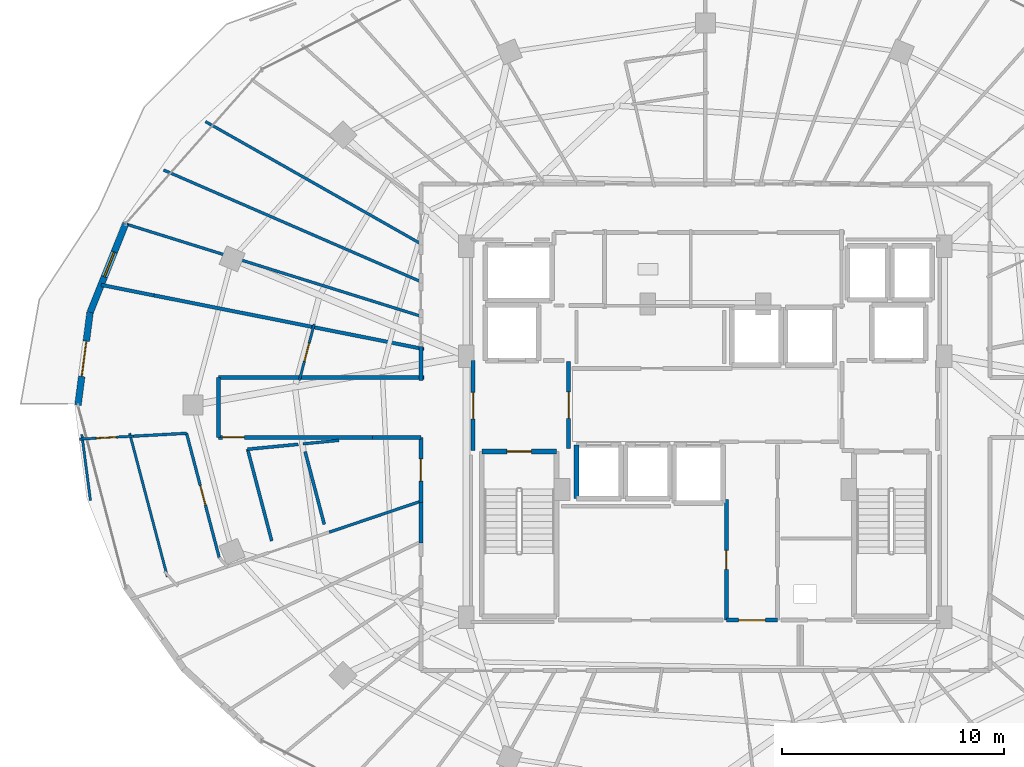
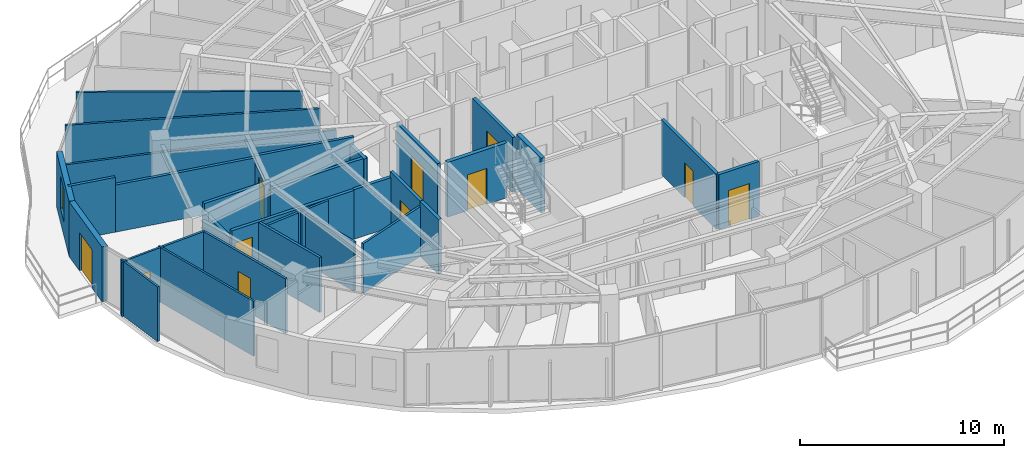
# One storey, part 25 of 34: 33 walls, 11 doors, 1 window, 12 openings.
"""IFC4 building model written with IfcOpenShell, lengths in metres."""

from ifc_helpers import new_model, si_unit, direction, frame, frame_2d, origin, place, context, subcontext, project, spatial, rectangle, extrude, material, layer, layer_set, type_object, element, fill, save


model = new_model("IFC4")

# Units and contexts
model_context = context("Model", 3, precision=1e-05, world=origin(), true_north=direction((0.0, 1.0)))
body_context = subcontext(model_context, "Body", "Model", "MODEL_VIEW")
ifc_project = project(units=[si_unit("LENGTHUNIT", "METRE"), si_unit("AREAUNIT", "SQUARE_METRE"), si_unit("VOLUMEUNIT", "CUBIC_METRE"), si_unit("PLANEANGLEUNIT", "RADIAN"), si_unit("MASSUNIT", "GRAM", prefix="KILO")], contexts=[model_context])

# Site, building, storey
site_placement = place(None, origin())
site = spatial("IfcSite", under=ifc_project, at=site_placement, CompositionType="ELEMENT")
building_placement = place(site_placement, origin())
building = spatial("IfcBuilding", under=site, at=building_placement, Name="Vorneva Point Tower", CompositionType="ELEMENT")
storey_placement = place(building_placement, frame((0.0, 0.0, 210.75)))
storey = spatial("IfcBuildingStorey", under=building, at=storey_placement, Name="L57", CompositionType="ELEMENT", Elevation=210.75)

# Wall, opening, window
ifc_material_1 = material(Name="Precast concrete B50 (C40/50)", Category="concrete")
ifc_layer_1 = layer(ifc_material_1, 0.300048828125)
ifc_layer_set_1 = layer_set([ifc_layer_1], Name="Precast concrete B50 (C40/50)")
wall_type_1 = type_object("IfcWallType", Name="WL-EXT-300", PredefinedType="STANDARD", material=ifc_layer_set_1)
wall_1_placement = place(storey_placement, frame((11.9189453125, 34.17041015625, 0.0), z_axis=(0.0, 0.0, 1.0), x_axis=(-0.372268409848, -0.928125116043, 0.0)))
wall_1 = element("IfcWall", 1, at=wall_1_placement, inside=storey, type_object=wall_type_1, Name="L57 Pale-Metal Facade Spandrel Wall 08.1", PredefinedType="STANDARD", context=body_context, shape_type="SweptSolid", body=[
    extrude(rectangle(XDim=4.315185546875, YDim=0.300048828125, at=frame_2d((2.15771484375, 0.0))), origin(), (0.0, 0.0, 1.0), 3.2900390625),
])
opening_1_placement = place(wall_1_placement, frame((1.38037109375, 0.0, 0.85009765625)))
opening_1 = element("IfcOpeningElement", 2, at=opening_1_placement, cuts=wall_1, Name="Opening W-04", PredefinedType="OPENING", context=body_context, shape_type="SweptSolid", body=[
    extrude(rectangle(XDim=1.199951171875, YDim=1.949951171875, at=frame_2d((0.60009765625, 0.97509765625))), frame((0.0, 0.1650390625, 0.0), z_axis=(0.0, -1.0, 0.0), x_axis=(1.0, 0.0, 0.0)), (0.0, 0.0, 1.0), 0.329833984375),
])
ifc_material_2 = material(Name="Double low-e laminated glass IGU", Category="glass")
window_type = type_object("IfcWindowType", Name="WN-RES-1200", PartitioningType="SINGLE_PANEL", PredefinedType="WINDOW", material=ifc_material_2)
window_placement = place(opening_1_placement, origin())
window = element("IfcWindow", 3, at=window_placement, inside=storey, type_object=window_type, Name="L57 Dwelling Vision Window 01", OverallHeight=1.949951171875, OverallWidth=1.199951171875, PartitioningType="SINGLE_PANEL", PredefinedType="WINDOW", context=body_context, shape_type="SweptSolid", body=[
    extrude(rectangle(XDim=1.199951171875, YDim=1.949951171875, at=frame_2d((0.60009765625, 0.97509765625))), frame((0.0, 0.030029296875, 0.0), z_axis=(0.0, -1.0, 0.0), x_axis=(1.0, 0.0, 0.0)), (0.0, 0.0, 1.0), 0.06005859375),
])
fill(opening_1, window)

# Wall, opening, door
wall_2_placement = place(storey_placement, frame((10.3125, 30.165283203125, 0.0), z_axis=(0.0, 0.0, 1.0), x_axis=(-0.129147853268, -0.991625348605, 0.0)))
wall_2 = element("IfcWall", 4, at=wall_2_placement, inside=storey, type_object=wall_type_1, Name="L57 Pale-Metal Facade Spandrel Wall 08.2", PredefinedType="STANDARD", context=body_context, shape_type="SweptSolid", body=[
    extrude(rectangle(XDim=4.200439453125, YDim=0.300048828125, at=frame_2d((2.10009765625, 0.0))), origin(), (0.0, 0.0, 1.0), 3.2900390625),
])
opening_2_placement = place(wall_2_placement, frame((1.30029296875, 0.0, 0.0)))
opening_2 = element("IfcOpeningElement", 5, at=opening_2_placement, cuts=wall_2, Name="Opening BD-01", PredefinedType="OPENING", context=body_context, shape_type="SweptSolid", body=[
    extrude(rectangle(XDim=1.60009765625, YDim=2.300048828125, at=frame_2d((0.800048828125, 1.14990234375))), frame((0.0, 0.1650390625, 0.0), z_axis=(0.0, -1.0, 0.0), x_axis=(1.0, 0.0, 0.0)), (0.0, 0.0, 1.0), 0.329833984375),
])
ifc_material_3 = material(Name="Pale anodised aluminium", Category="aluminium")
door_type_1 = type_object("IfcDoorType", Name="DR-BAL-1600", OperationType="SLIDING_TO_LEFT", PredefinedType="DOOR", material=ifc_material_3)
door_1_placement = place(opening_2_placement, origin())
door_1 = element("IfcDoor", 6, at=door_1_placement, inside=storey, type_object=door_type_1, Name="L57 Balcony Terrace Access Door 08", OperationType="SLIDING_TO_LEFT", OverallHeight=2.300048828125, OverallWidth=1.60009765625, PredefinedType="DOOR", context=body_context, shape_type="SweptSolid", body=[
    extrude(rectangle(XDim=1.60009765625, YDim=2.300048828125, at=frame_2d((0.800048828125, 1.14990234375))), frame((0.0, 0.02490234375, 0.0), z_axis=(0.0, -1.0, 0.0), x_axis=(1.0, 0.0, 0.0)), (0.0, 0.0, 1.0), 0.050048828125),
])
fill(opening_2, door_1)

ifc_material_4 = material(Name="Fire-rated acoustic gypsum stud partition", Category="gypsum")
ifc_layer_2 = layer(ifc_material_4, 0.110107421875)
ifc_layer_set_2 = layer_set([ifc_layer_2], Name="Fire-rated acoustic gypsum stud partition")
wall_type_2 = type_object("IfcWallType", Name="WL-PART-110", PredefinedType="PARTITIONING", material=ifc_layer_set_2)
wall_3_placement = place(storey_placement, frame((19.7333984375, 27.114501953125, 0.0), z_axis=(0.0, 0.0, 1.0), x_axis=(0.254424362052, 0.967092676011, 0.0)))
wall_3 = element("IfcWall", 7, at=wall_3_placement, inside=storey, type_object=wall_type_2, Name="L57 Interior Partition 123", PredefinedType="PARTITIONING", context=body_context, shape_type="SweptSolid", body=[
    extrude(rectangle(XDim=2.61474609375, YDim=0.110107421875, at=frame_2d((1.307373046875, 0.0))), origin(), (0.0, 0.0, 1.0), 2.48193359375),
])
opening_3_placement = place(wall_3_placement, frame((0.88232421875, 0.0, 0.0)))
opening_3 = element("IfcOpeningElement", 8, at=opening_3_placement, cuts=wall_3, Name="Opening ID-02", PredefinedType="OPENING", context=body_context, shape_type="SweptSolid", body=[
    extrude(rectangle(XDim=0.85009765625, YDim=2.10009765625, at=frame_2d((0.425048828125, 1.050048828125))), frame((0.0, 0.06982421875, 0.0), z_axis=(0.0, -1.0, 0.0), x_axis=(1.0, 0.0, 0.0)), (0.0, 0.0, 1.0), 0.139892578125),
])
ifc_material_5 = material(Name="Engineered oak fire-rated door leaf", Category="wood")
door_type_2 = type_object("IfcDoorType", Name="DR-BATH-850", OperationType="NOTDEFINED", PredefinedType="DOOR", material=ifc_material_5)
door_2_placement = place(opening_3_placement, origin())
door_2 = element("IfcDoor", 9, at=door_2_placement, inside=storey, type_object=door_type_2, Name="L57 Door Living and Dining Room L57-03 / Bathroom L57-03", OperationType="SINGLE_SWING_LEFT", OverallHeight=2.10009765625, OverallWidth=0.85009765625, PredefinedType="DOOR", context=body_context, shape_type="SweptSolid", body=[
    extrude(rectangle(XDim=0.85009765625, YDim=2.10009765625, at=frame_2d((0.425048828125, 1.050048828125))), frame((0.0, 0.02490234375, 0.0), z_axis=(0.0, -1.0, 0.0), x_axis=(1.0, 0.0, 0.0)), (0.0, 0.0, 1.0), 0.050048828125),
])
fill(opening_3, door_2)

# Wall
wall_4_placement = place(storey_placement, frame((9.94384765625, 24.6728515625, 0.0), z_axis=(0.0, 0.0, 1.0), x_axis=(0.129053207858, -0.991637670493, 0.0)))
element("IfcWall", 10, at=wall_4_placement, inside=storey, type_object=wall_type_2, Name="L57 Interior Partition 124", PredefinedType="PARTITIONING", context=body_context, shape_type="SweptSolid", body=[
    extrude(rectangle(XDim=2.992919921875, YDim=0.110107421875, at=frame_2d((1.49658203125, 0.0))), origin(), (0.0, 0.0, 1.0), 3.2900390625),
])

# Wall, opening, door
wall_5_placement = place(storey_placement, frame((9.830078125, 24.46728515625, 0.0), z_axis=(0.0, 0.0, 1.0), x_axis=(0.998510664793, 0.054556872108, 0.0)))
wall_5 = element("IfcWall", 11, at=wall_5_placement, inside=storey, type_object=wall_type_2, Name="L57 Interior Partition 125", PredefinedType="PARTITIONING", context=body_context, shape_type="SweptSolid", body=[
    extrude(rectangle(XDim=2.443359375, YDim=0.110107421875, at=frame_2d((1.2216796875, 0.0))), origin(), (0.0, 0.0, 1.0), 3.2900390625),
])
opening_4_placement = place(wall_5_placement, frame((0.771484375, 0.0, 0.0)))
opening_4 = element("IfcOpeningElement", 12, at=opening_4_placement, cuts=wall_5, Name="Opening ID-01", PredefinedType="OPENING", context=body_context, shape_type="SweptSolid", body=[
    extrude(rectangle(XDim=0.89990234375, YDim=2.10009765625, at=frame_2d((0.449951171875, 1.050048828125))), frame((0.0, 0.06982421875, 0.0), z_axis=(0.0, -1.0, 0.0), x_axis=(1.0, 0.0, 0.0)), (0.0, 0.0, 1.0), 0.139892578125),
])
door_type_3 = type_object("IfcDoorType", Name="DR-ROOM-900", OperationType="NOTDEFINED", PredefinedType="DOOR", material=ifc_material_5)
door_3_placement = place(opening_4_placement, origin())
door_3 = element("IfcDoor", 13, at=door_3_placement, inside=storey, type_object=door_type_3, Name="L57 Door Living and Dining Room L57-03 / Kitchen L57-03", OperationType="SINGLE_SWING_LEFT", OverallHeight=2.10009765625, OverallWidth=0.89990234375, PredefinedType="DOOR", context=body_context, shape_type="SweptSolid", body=[
    extrude(rectangle(XDim=0.89990234375, YDim=2.10009765625, at=frame_2d((0.449951171875, 1.050048828125))), frame((0.0, 0.02490234375, 0.0), z_axis=(0.0, -1.0, 0.0), x_axis=(1.0, 0.0, 0.0)), (0.0, 0.0, 1.0), 0.050048828125),
])
fill(opening_4, door_3)

# Walls
wall_6_placement = place(storey_placement, frame((13.79248046875, 18.2705078125, 0.0), z_axis=(0.0, 0.0, 1.0), x_axis=(-0.254286331735, 0.967128978727, 0.0)))
element("IfcWall", 14, at=wall_6_placement, inside=storey, type_object=wall_type_2, Name="L57 Interior Partition 132", PredefinedType="PARTITIONING", context=body_context, shape_type="SweptSolid", body=[
    extrude(rectangle(XDim=6.677490234375, YDim=0.110107421875, at=frame_2d((3.3388671875, 0.0))), origin(), (0.0, 0.0, 1.0), 3.2900390625),
])
ifc_layer_3 = layer(ifc_material_4, 0.125)
ifc_layer_set_3 = layer_set([ifc_layer_3], Name="Fire-rated acoustic gypsum stud partition")
wall_type_3 = type_object("IfcWallType", Name="WL-PART-125", PredefinedType="PARTITIONING", material=ifc_layer_set_3)
wall_7_placement = place(storey_placement, frame((15.5048828125, 38.758056640625, 0.0), z_axis=(0.0, 0.0, 1.0), x_axis=(0.86982387552, -0.49336236741, 0.0)))
element("IfcWall", 15, at=wall_7_placement, inside=storey, type_object=wall_type_3, Name="L57 Interior Partition 115", PredefinedType="PARTITIONING", context=body_context, shape_type="SweptSolid", body=[
    extrude(rectangle(XDim=11.14599609375, YDim=0.125, at=frame_2d((5.572998046875, 0.0))), origin(), (0.0, 0.0, 1.0), 2.823974609375),
])
wall_8_placement = place(storey_placement, frame((13.6220703125, 36.577880859375, 0.0), z_axis=(0.0, 0.0, 1.0), x_axis=(0.917357672996, -0.398063939331, 0.0)))
element("IfcWall", 16, at=wall_8_placement, inside=storey, type_object=wall_type_3, Name="L57 Interior Partition 116", PredefinedType="PARTITIONING", context=body_context, shape_type="SweptSolid", body=[
    extrude(rectangle(XDim=12.620849609375, YDim=0.125, at=frame_2d((6.310546875, 0.0))), origin(), (0.0, 0.0, 1.0), 2.823974609375),
])
wall_9_placement = place(storey_placement, frame((11.910888671875, 34.152099609375, 0.0), z_axis=(0.0, 0.0, 1.0), x_axis=(0.954494953812, -0.298227066422, 0.0)))
element("IfcWall", 17, at=wall_9_placement, inside=storey, type_object=wall_type_3, Name="L57 Interior Partition 117", PredefinedType="PARTITIONING", context=body_context, shape_type="SweptSolid", body=[
    extrude(rectangle(XDim=13.922607421875, YDim=0.125, at=frame_2d((6.96142578125, 0.0))), origin(), (0.0, 0.0, 1.0), 2.48193359375),
])
wall_10_placement = place(storey_placement, frame((19.89892578125, 24.2548828125, 0.0), z_axis=(0.0, 0.0, 1.0), x_axis=(0.995395189956, 0.095856224692, 0.0)))
element("IfcWall", 18, at=wall_10_placement, inside=storey, type_object=wall_type_3, Name="L57 Interior Partition 121", PredefinedType="PARTITIONING", context=body_context, shape_type="SweptSolid", body=[
    extrude(rectangle(XDim=1.617431640625, YDim=0.125, at=frame_2d((0.80859375, 0.0))), origin(), (0.0, 0.0, 1.0), 2.93603515625),
])
wall_11_placement = place(storey_placement, frame((21.0791015625, 20.281005859375, 0.0), z_axis=(0.0, 0.0, 1.0), x_axis=(0.947333376301, 0.320249081413, 0.0)))
element("IfcWall", 19, at=wall_11_placement, inside=storey, type_object=wall_type_3, Name="L57 Interior Partition 122", PredefinedType="PARTITIONING", context=body_context, shape_type="SweptSolid", body=[
    extrude(rectangle(XDim=4.349853515625, YDim=0.125, at=frame_2d((2.1748046875, 0.0))), origin(), (0.0, 0.0, 1.0), 2.97900390625),
])
wall_12_placement = place(storey_placement, frame((12.269775390625, 24.6005859375, 0.0), z_axis=(0.0, 0.0, 1.0), x_axis=(0.998530633022, 0.054190173613, 0.0)))
element("IfcWall", 20, at=wall_12_placement, inside=storey, type_object=wall_type_3, Name="L57 Interior Partition 126", PredefinedType="PARTITIONING", context=body_context, shape_type="SweptSolid", body=[
    extrude(rectangle(XDim=2.3876953125, YDim=0.125, at=frame_2d((1.19384765625, 0.0))), origin(), (0.0, 0.0, 1.0), 3.2900390625),
])

# Wall, opening, door
wall_13_placement = place(storey_placement, frame((14.654052734375, 24.72998046875, 0.0), z_axis=(0.0, 0.0, 1.0), x_axis=(0.254457911505, -0.967083849143, 0.0)))
wall_13 = element("IfcWall", 21, at=wall_13_placement, inside=storey, type_object=wall_type_3, Name="L57 Interior Partition 127", PredefinedType="PARTITIONING", context=body_context, shape_type="SweptSolid", body=[
    extrude(rectangle(XDim=5.77294921875, YDim=0.125, at=frame_2d((2.886474609375, 0.0))), origin(), (0.0, 0.0, 1.0), 3.2900390625),
])
opening_5_placement = place(wall_13_placement, frame((2.4365234375, 0.0, 0.0)))
opening_5 = element("IfcOpeningElement", 22, at=opening_5_placement, cuts=wall_13, Name="Opening ID-01", PredefinedType="OPENING", context=body_context, shape_type="SweptSolid", body=[
    extrude(rectangle(XDim=0.89990234375, YDim=2.10009765625, at=frame_2d((0.449951171875, 1.050048828125))), frame((0.0, 0.077392578125, 0.0), z_axis=(0.0, -1.0, 0.0), x_axis=(1.0, 0.0, 0.0)), (0.0, 0.0, 1.0), 0.15478515625),
])
door_4_placement = place(opening_5_placement, origin())
door_4 = element("IfcDoor", 23, at=door_4_placement, inside=storey, type_object=door_type_3, Name="L57 Door Living and Dining Room L57-03 / Study Room L57-03", OperationType="SINGLE_SWING_RIGHT", OverallHeight=2.10009765625, OverallWidth=0.89990234375, PredefinedType="DOOR", context=body_context, shape_type="SweptSolid", body=[
    extrude(rectangle(XDim=0.89990234375, YDim=2.10009765625, at=frame_2d((0.449951171875, 1.050048828125))), frame((0.0, 0.02490234375, 0.0), z_axis=(0.0, -1.0, 0.0), x_axis=(1.0, 0.0, 0.0)), (0.0, 0.0, 1.0), 0.050048828125),
])
fill(opening_5, door_4)

# Walls
ifc_layer_4 = layer(ifc_material_4, 0.139892578125)
ifc_layer_set_4 = layer_set([ifc_layer_4], Name="Fire-rated acoustic gypsum stud partition")
wall_type_4 = type_object("IfcWallType", Name="WL-PART-140", PredefinedType="PARTITIONING", material=ifc_layer_set_4)
wall_14_placement = place(storey_placement, frame((18.488037109375, 19.887939453125, 0.0), z_axis=(0.0, 0.0, 1.0), x_axis=(-0.254527099131, 0.967065641933, 0.0)))
element("IfcWall", 24, at=wall_14_placement, inside=storey, type_object=wall_type_4, Name="L57 Interior Closure Partition 183", PredefinedType="PARTITIONING", context=body_context, shape_type="SweptSolid", body=[
    extrude(rectangle(XDim=4.2666015625, YDim=0.139892578125, at=frame_2d((2.13330078125, 0.0))), origin(), (0.0, 0.0, 1.0), 3.2900390625),
])
wall_15_placement = place(storey_placement, frame((17.402099609375, 24.013916015625, 0.0), z_axis=(0.0, 0.0, 1.0), x_axis=(0.99536946046, 0.096123031498, 0.0)))
element("IfcWall", 25, at=wall_15_placement, inside=storey, type_object=wall_type_4, Name="L57 Interior Closure Partition 184", PredefinedType="PARTITIONING", context=body_context, shape_type="SweptSolid", body=[
    extrude(rectangle(XDim=2.288330078125, YDim=0.139892578125, at=frame_2d((1.14404296875, 0.0))), origin(), (0.0, 0.0, 1.0), 2.93603515625),
])
wall_16_placement = place(storey_placement, frame((19.989990234375, 23.907958984375, 0.0), z_axis=(0.0, 0.0, 1.0), x_axis=(0.25452874074, -0.967065209868, 0.0)))
element("IfcWall", 26, at=wall_16_placement, inside=storey, type_object=wall_type_4, Name="L57 Interior Closure Partition 185", PredefinedType="PARTITIONING", context=body_context, shape_type="SweptSolid", body=[
    extrude(rectangle(XDim=3.390625, YDim=0.139892578125, at=frame_2d((1.6953125, 0.0))), origin(), (0.0, 0.0, 1.0), 2.93603515625),
])
ifc_layer_5 = layer(ifc_material_4, 0.159912109375)
ifc_layer_set_5 = layer_set([ifc_layer_5], Name="Fire-rated acoustic gypsum stud partition")
wall_type_5 = type_object("IfcWallType", Name="WL-PART-160", PredefinedType="PARTITIONING", material=ifc_layer_set_5)
wall_17_placement = place(storey_placement, frame((10.81298828125, 31.407958984375, 0.0), z_axis=(0.0, 0.0, 1.0), x_axis=(0.980808893275, -0.194971574527, 0.0)))
element("IfcWall", 27, at=wall_17_placement, inside=storey, type_object=wall_type_5, Name="L57 Interior Partition 118", PredefinedType="PARTITIONING", context=body_context, shape_type="SweptSolid", body=[
    extrude(rectangle(XDim=2.42041015625, YDim=0.159912109375, at=frame_2d((1.210205078125, 0.0))), origin(), (0.0, 0.0, 1.0), 3.2900390625),
])
wall_18_placement = place(storey_placement, frame((13.18701171875, 30.93603515625, 0.0), z_axis=(0.0, 0.0, 1.0), x_axis=(0.980790143568, -0.195065871645, 0.0)))
element("IfcWall", 28, at=wall_18_placement, inside=storey, type_object=wall_type_5, Name="L57 Interior Partition 119", PredefinedType="PARTITIONING", context=body_context, shape_type="SweptSolid", body=[
    extrude(rectangle(XDim=7.376708984375, YDim=0.159912109375, at=frame_2d((3.6884765625, 0.0))), origin(), (0.0, 0.0, 1.0), 2.823974609375),
])
wall_19_placement = place(storey_placement, frame((20.28466796875, 29.52392578125, 0.0), z_axis=(0.0, 0.0, 1.0), x_axis=(0.980782472544, -0.195104437547, 0.0)))
element("IfcWall", 29, at=wall_19_placement, inside=storey, type_object=wall_type_5, Name="L57 Interior Partition 120", PredefinedType="PARTITIONING", context=body_context, shape_type="SweptSolid", body=[
    extrude(rectangle(XDim=5.15185546875, YDim=0.159912109375, at=frame_2d((2.575927734375, 0.0))), origin(), (0.0, 0.0, 1.0), 2.93603515625),
])

# Wall, opening, door
ifc_material_6 = material(Name="Autoclaved aerated concrete blockwork", Category="masonry")
ifc_layer_6 = layer(ifc_material_6, 0.179931640625)
ifc_layer_set_6 = layer_set([ifc_layer_6], Name="Autoclaved aerated concrete blockwork")
wall_type_6 = type_object("IfcWallType", Name="WL-PART-180", PredefinedType="PARTITIONING", material=ifc_layer_set_6)
wall_20_placement = place(storey_placement, frame((31.85009765625, 24.044921875, 0.0), z_axis=(0.0, 0.0, 1.0), x_axis=(0.0, 1.0, 0.0)))
wall_20 = element("IfcWall", 30, at=wall_20_placement, inside=storey, type_object=wall_type_6, Name="L57 Interior Partition 001", PredefinedType="PARTITIONING", context=body_context, shape_type="SweptSolid", body=[
    extrude(rectangle(XDim=3.91015625, YDim=0.179931640625, at=frame_2d((1.955078125, 0.0))), origin(), (0.0, 0.0, 1.0), 3.2900390625),
])
opening_6_placement = place(wall_20_placement, frame((1.35498046875, 0.0, 0.0)))
opening_6 = element("IfcOpeningElement", 31, at=opening_6_placement, cuts=wall_20, Name="Opening FD-02", PredefinedType="OPENING", context=body_context, shape_type="SweptSolid", body=[
    extrude(rectangle(XDim=1.199951171875, YDim=2.14990234375, at=frame_2d((0.60009765625, 1.074951171875))), frame((0.0, 0.10498046875, 0.0), z_axis=(0.0, -1.0, 0.0), x_axis=(1.0, 0.0, 0.0)), (0.0, 0.0, 1.0), 0.209716796875),
])
ifc_material_7 = material(Name="Fire-rated powder-coated steel", Category="steel")
door_type_4 = type_object("IfcDoorType", Name="DR-FFL-1200", OperationType="NOTDEFINED", PredefinedType="DOOR", material=ifc_material_7)
door_5_placement = place(opening_6_placement, origin())
door_5 = element("IfcDoor", 32, at=door_5_placement, inside=storey, type_object=door_type_4, Name="L57 Door West Firefighting Lobby / Central Lift Lobby", OperationType="SINGLE_SWING_LEFT", OverallHeight=2.14990234375, OverallWidth=1.199951171875, PredefinedType="DOOR", context=body_context, shape_type="SweptSolid", body=[
    extrude(rectangle(XDim=1.199951171875, YDim=2.14990234375, at=frame_2d((0.60009765625, 1.074951171875))), frame((0.0, 0.02490234375, 0.0), z_axis=(0.0, -1.0, 0.0), x_axis=(1.0, 0.0, 0.0)), (0.0, 0.0, 1.0), 0.050048828125),
])
fill(opening_6, door_5)

wall_21_placement = place(storey_placement, frame((27.550048828125, 28.0, 0.0), z_axis=(0.0, 0.0, 1.0), x_axis=(0.0, -1.0, 0.0)))
wall_21 = element("IfcWall", 33, at=wall_21_placement, inside=storey, type_object=wall_type_6, Name="L57 Interior Partition 002", PredefinedType="PARTITIONING", context=body_context, shape_type="SweptSolid", body=[
    extrude(rectangle(XDim=4.050048828125, YDim=0.179931640625, at=frame_2d((2.02490234375, 0.0))), origin(), (0.0, 0.0, 1.0), 3.2900390625),
])
opening_7_placement = place(wall_21_placement, frame((1.425048828125, 0.0, 0.0)))
opening_7 = element("IfcOpeningElement", 34, at=opening_7_placement, cuts=wall_21, Name="Opening FD-02", PredefinedType="OPENING", context=body_context, shape_type="SweptSolid", body=[
    extrude(rectangle(XDim=1.199951171875, YDim=2.14990234375, at=frame_2d((0.60009765625, 1.074951171875))), frame((0.0, 0.10498046875, 0.0), z_axis=(0.0, -1.0, 0.0), x_axis=(1.0, 0.0, 0.0)), (0.0, 0.0, 1.0), 0.209716796875),
])
door_6_placement = place(opening_7_placement, origin())
door_6 = element("IfcDoor", 35, at=door_6_placement, inside=storey, type_object=door_type_4, Name="L57 Door West Firefighting Lobby / L57 Circulation Corridor", OperationType="SINGLE_SWING_RIGHT", OverallHeight=2.14990234375, OverallWidth=1.199951171875, PredefinedType="DOOR", context=body_context, shape_type="SweptSolid", body=[
    extrude(rectangle(XDim=1.199951171875, YDim=2.14990234375, at=frame_2d((0.60009765625, 1.074951171875))), frame((0.0, 0.02490234375, 0.0), z_axis=(0.0, -1.0, 0.0), x_axis=(1.0, 0.0, 0.0)), (0.0, 0.0, 1.0), 0.050048828125),
])
fill(opening_7, door_6)

wall_22_placement = place(storey_placement, frame((38.949951171875, 21.7548828125, 0.0), z_axis=(0.0, 0.0, 1.0), x_axis=(0.0, -1.0, 0.0)))
wall_22 = element("IfcWall", 36, at=wall_22_placement, inside=storey, type_object=wall_type_6, Name="L57 Interior Partition 015", PredefinedType="PARTITIONING", context=body_context, shape_type="SweptSolid", body=[
    extrude(rectangle(XDim=5.434814453125, YDim=0.179931640625, at=frame_2d((2.71728515625, 0.0))), origin(), (0.0, 0.0, 1.0), 3.2900390625),
])
opening_8_placement = place(wall_22_placement, frame((2.29248046875, 0.0, 0.0)))
opening_8 = element("IfcOpeningElement", 37, at=opening_8_placement, cuts=wall_22, Name="Opening ID-02", PredefinedType="OPENING", context=body_context, shape_type="SweptSolid", body=[
    extrude(rectangle(XDim=0.85009765625, YDim=2.10009765625, at=frame_2d((0.425048828125, 1.050048828125))), frame((0.0, 0.10498046875, 0.0), z_axis=(0.0, -1.0, 0.0), x_axis=(1.0, 0.0, 0.0)), (0.0, 0.0, 1.0), 0.209716796875),
])
door_7_placement = place(opening_8_placement, origin())
door_7 = element("IfcDoor", 38, at=door_7_placement, inside=storey, type_object=door_type_2, Name="L57 Door Core Service Lobby / Floor Storage Room", OperationType="SINGLE_SWING_LEFT", OverallHeight=2.10009765625, OverallWidth=0.85009765625, PredefinedType="DOOR", context=body_context, shape_type="SweptSolid", body=[
    extrude(rectangle(XDim=0.85009765625, YDim=2.10009765625, at=frame_2d((0.425048828125, 1.050048828125))), frame((0.0, 0.02490234375, 0.0), z_axis=(0.0, -1.0, 0.0), x_axis=(1.0, 0.0, 0.0)), (0.0, 0.0, 1.0), 0.050048828125),
])
fill(opening_8, door_7)

wall_23_placement = place(storey_placement, frame((38.949951171875, 16.320068359375, 0.0), z_axis=(0.0, 0.0, 1.0), x_axis=(1.0, 0.0, 0.0)))
wall_23 = element("IfcWall", 39, at=wall_23_placement, inside=storey, type_object=wall_type_6, Name="L57 Interior Partition 016", PredefinedType="PARTITIONING", context=body_context, shape_type="SweptSolid", body=[
    extrude(rectangle(XDim=2.300048828125, YDim=0.179931640625, at=frame_2d((1.14990234375, 0.0))), origin(), (0.0, 0.0, 1.0), 3.2900390625),
])
opening_9_placement = place(wall_23_placement, frame((0.550048828125, 0.0, 0.0)))
opening_9 = element("IfcOpeningElement", 40, at=opening_9_placement, cuts=wall_23, Name="Opening FD-02", PredefinedType="OPENING", context=body_context, shape_type="SweptSolid", body=[
    extrude(rectangle(XDim=1.199951171875, YDim=2.14990234375, at=frame_2d((0.60009765625, 1.074951171875))), frame((0.0, 0.10498046875, 0.0), z_axis=(0.0, -1.0, 0.0), x_axis=(1.0, 0.0, 0.0)), (0.0, 0.0, 1.0), 0.209716796875),
])
door_8_placement = place(opening_9_placement, origin())
door_8 = element("IfcDoor", 41, at=door_8_placement, inside=storey, type_object=door_type_4, Name="L57 Door Core Service Lobby / L57 Circulation Corridor", OperationType="SINGLE_SWING_RIGHT", OverallHeight=2.14990234375, OverallWidth=1.199951171875, PredefinedType="DOOR", context=body_context, shape_type="SweptSolid", body=[
    extrude(rectangle(XDim=1.199951171875, YDim=2.14990234375, at=frame_2d((0.60009765625, 1.074951171875))), frame((0.0, 0.02490234375, 0.0), z_axis=(0.0, -1.0, 0.0), x_axis=(1.0, 0.0, 0.0)), (0.0, 0.0, 1.0), 0.050048828125),
])
fill(opening_9, door_8)

# Wall
wall_24_placement = place(storey_placement, frame((16.10009765625, 27.25, 0.0), z_axis=(0.0, 0.0, 1.0), x_axis=(0.0, -1.0, 0.0)))
element("IfcWall", 42, at=wall_24_placement, inside=storey, type_object=wall_type_6, Name="L57 Interior Partition 047", PredefinedType="PARTITIONING", context=body_context, shape_type="SweptSolid", body=[
    extrude(rectangle(XDim=2.699951171875, YDim=0.179931640625, at=frame_2d((1.35009765625, 0.0))), origin(), (0.0, 0.0, 1.0), 2.48193359375),
])

# Wall, opening, door
wall_25_placement = place(storey_placement, frame((16.10009765625, 24.550048828125, 0.0), z_axis=(0.0, 0.0, 1.0), x_axis=(1.0, 0.0, 0.0)))
wall_25 = element("IfcWall", 43, at=wall_25_placement, inside=storey, type_object=wall_type_6, Name="L57 Interior Partition 048", PredefinedType="PARTITIONING", context=body_context, shape_type="SweptSolid", body=[
    extrude(rectangle(XDim=6.9228515625, YDim=0.179931640625, at=frame_2d((3.46142578125, 0.0))), origin(), (0.0, 0.0, 1.0), 2.93603515625),
])
opening_10_placement = place(wall_25_placement, frame((0.16162109375, 0.0, 0.0)))
opening_10 = element("IfcOpeningElement", 44, at=opening_10_placement, cuts=wall_25, Name="Opening UD-01", PredefinedType="OPENING", context=body_context, shape_type="SweptSolid", body=[
    extrude(rectangle(XDim=1.0, YDim=2.14990234375, at=frame_2d((0.5, 1.074951171875))), frame((0.0, 0.10498046875, 0.0), z_axis=(0.0, -1.0, 0.0), x_axis=(1.0, 0.0, 0.0)), (0.0, 0.0, 1.0), 0.209716796875),
])
door_type_5 = type_object("IfcDoorType", Name="DR-UNIT-1000", OperationType="NOTDEFINED", PredefinedType="DOOR", material=ifc_material_5)
door_9_placement = place(opening_10_placement, origin())
door_9 = element("IfcDoor", 45, at=door_9_placement, inside=storey, type_object=door_type_5, Name="L57 Door L57 Circulation Corridor / Living and Dining Room L57-03", OperationType="SINGLE_SWING_LEFT", OverallHeight=2.14990234375, OverallWidth=1.0, PredefinedType="DOOR", context=body_context, shape_type="SweptSolid", body=[
    extrude(rectangle(XDim=1.0, YDim=2.14990234375, at=frame_2d((0.5, 1.074951171875))), frame((0.0, 0.02490234375, 0.0), z_axis=(0.0, -1.0, 0.0), x_axis=(1.0, 0.0, 0.0)), (0.0, 0.0, 1.0), 0.050048828125),
])
fill(opening_10, door_9)

# Walls
wall_26_placement = place(storey_placement, frame((19.8310546875, 27.25, 0.0), z_axis=(0.0, 0.0, 1.0), x_axis=(-1.0, 0.0, 0.0)))
element("IfcWall", 46, at=wall_26_placement, inside=storey, type_object=wall_type_6, Name="L57 Interior Partition 049", PredefinedType="PARTITIONING", context=body_context, shape_type="SweptSolid", body=[
    extrude(rectangle(XDim=3.73095703125, YDim=0.179931640625, at=frame_2d((1.865478515625, 0.0))), origin(), (0.0, 0.0, 1.0), 2.93603515625),
])
wall_27_placement = place(storey_placement, frame((23.02294921875, 24.550048828125, 0.0), z_axis=(0.0, 0.0, 1.0), x_axis=(1.0, 0.0, 0.0)))
element("IfcWall", 47, at=wall_27_placement, inside=storey, type_object=wall_type_6, Name="L57 Interior Partition 050", PredefinedType="PARTITIONING", context=body_context, shape_type="SweptSolid", body=[
    extrude(rectangle(XDim=2.177001953125, YDim=0.179931640625, at=frame_2d((1.08837890625, 0.0))), origin(), (0.0, 0.0, 1.0), 2.97900390625),
])

# Wall, opening, door
wall_28_placement = place(storey_placement, frame((25.199951171875, 24.550048828125, 0.0), z_axis=(0.0, 0.0, 1.0), x_axis=(0.0, -1.0, 0.0)))
wall_28 = element("IfcWall", 48, at=wall_28_placement, inside=storey, type_object=wall_type_6, Name="L57 Interior Partition 051", PredefinedType="PARTITIONING", context=body_context, shape_type="SweptSolid", body=[
    extrude(rectangle(XDim=2.93896484375, YDim=0.179931640625, at=frame_2d((1.469482421875, 0.0))), origin(), (0.0, 0.0, 1.0), 3.2900390625),
])
opening_11_placement = place(wall_28_placement, frame((0.969482421875, 0.0, 0.0)))
opening_11 = element("IfcOpeningElement", 49, at=opening_11_placement, cuts=wall_28, Name="Opening UD-01", PredefinedType="OPENING", context=body_context, shape_type="SweptSolid", body=[
    extrude(rectangle(XDim=1.0, YDim=2.14990234375, at=frame_2d((0.5, 1.074951171875))), frame((0.0, 0.10498046875, 0.0), z_axis=(0.0, -1.0, 0.0), x_axis=(1.0, 0.0, 0.0)), (0.0, 0.0, 1.0), 0.209716796875),
])
door_10_placement = place(opening_11_placement, origin())
door_10 = element("IfcDoor", 50, at=door_10_placement, inside=storey, type_object=door_type_5, Name="L57 Door L57 Circulation Corridor / Family Dining Room L57-03", OperationType="SINGLE_SWING_RIGHT", OverallHeight=2.14990234375, OverallWidth=1.0, PredefinedType="DOOR", context=body_context, shape_type="SweptSolid", body=[
    extrude(rectangle(XDim=1.0, YDim=2.14990234375, at=frame_2d((0.5, 1.074951171875))), frame((0.0, 0.02490234375, 0.0), z_axis=(0.0, -1.0, 0.0), x_axis=(1.0, 0.0, 0.0)), (0.0, 0.0, 1.0), 0.050048828125),
])
fill(opening_11, door_10)

# Walls
wall_29_placement = place(storey_placement, frame((25.199951171875, 28.6259765625, 0.0), z_axis=(0.0, 0.0, 1.0), x_axis=(0.0, -1.0, 0.0)))
element("IfcWall", 51, at=wall_29_placement, inside=storey, type_object=wall_type_6, Name="L57 Interior Partition 052", PredefinedType="PARTITIONING", context=body_context, shape_type="SweptSolid", body=[
    extrude(rectangle(XDim=1.515869140625, YDim=0.179931640625, at=frame_2d((0.7578125, 0.0))), origin(), (0.0, 0.0, 1.0), 2.48193359375),
])
wall_30_placement = place(storey_placement, frame((25.340087890625, 27.25, 0.0), z_axis=(0.0, 0.0, 1.0), x_axis=(-1.0, 0.0, 0.0)))
element("IfcWall", 52, at=wall_30_placement, inside=storey, type_object=wall_type_6, Name="L57 Interior Partition 053", PredefinedType="PARTITIONING", context=body_context, shape_type="SweptSolid", body=[
    extrude(rectangle(XDim=5.649169921875, YDim=0.179931640625, at=frame_2d((2.82470703125, 0.0))), origin(), (0.0, 0.0, 1.0), 2.48193359375),
])
wall_31_placement = place(storey_placement, frame((25.199951171875, 21.611083984375, 0.0), z_axis=(0.0, 0.0, 1.0), x_axis=(0.0, -1.0, 0.0)))
element("IfcWall", 53, at=wall_31_placement, inside=storey, type_object=wall_type_6, Name="L57 Interior Partition 054", PredefinedType="PARTITIONING", context=body_context, shape_type="SweptSolid", body=[
    extrude(rectangle(XDim=1.823974609375, YDim=0.179931640625, at=frame_2d((0.912109375, 0.0))), origin(), (0.0, 0.0, 1.0), 3.2900390625),
])

# Wall, opening, door
ifc_material_8 = material(Name="Concrete B50 (C40/50)", Category="concrete")
ifc_layer_7 = layer(ifc_material_8, 0.219970703125)
ifc_layer_set_7 = layer_set([ifc_layer_7], Name="Concrete B50 (C40/50)")
wall_type_7 = type_object("IfcWallType", Name="WL-SHFT-220", PredefinedType="SOLIDWALL", material=ifc_layer_set_7)
wall_32_placement = place(storey_placement, frame((27.93994140625, 23.909912109375, 0.0), z_axis=(0.0, 0.0, 1.0), x_axis=(1.0, 0.0, 0.0)))
wall_32 = element("IfcWall", 54, at=wall_32_placement, inside=storey, type_object=wall_type_7, Name="L57 Exit Stair ST1 Shaft Wall near", PredefinedType="SOLIDWALL", context=body_context, shape_type="SweptSolid", body=[
    extrude(rectangle(XDim=3.3701171875, YDim=0.219970703125, at=frame_2d((1.68505859375, 0.0))), origin(), (0.0, 0.0, 1.0), 3.2900390625),
])
opening_12_placement = place(wall_32_placement, frame((1.135009765625, 0.0, 0.0)))
opening_12 = element("IfcOpeningElement", 55, at=opening_12_placement, cuts=wall_32, Name="Opening FD-01", PredefinedType="OPENING", context=body_context, shape_type="SweptSolid", body=[
    extrude(rectangle(XDim=1.10009765625, YDim=2.14990234375, at=frame_2d((0.550048828125, 1.074951171875))), frame((0.0, 0.125, 0.0), z_axis=(0.0, -1.0, 0.0), x_axis=(1.0, 0.0, 0.0)), (0.0, 0.0, 1.0), 0.249755859375),
])
door_type_6 = type_object("IfcDoorType", Name="DR-STAIR-1100", OperationType="NOTDEFINED", PredefinedType="DOOR", material=ifc_material_7)
door_11_placement = place(opening_12_placement, origin())
door_11 = element("IfcDoor", 56, at=door_11_placement, inside=storey, type_object=door_type_6, Name="L57 Exit Stair ST1 Fire Door", OperationType="SINGLE_SWING_LEFT", OverallHeight=2.14990234375, OverallWidth=1.10009765625, PredefinedType="DOOR", context=body_context, shape_type="SweptSolid", body=[
    extrude(rectangle(XDim=1.10009765625, YDim=2.14990234375, at=frame_2d((0.550048828125, 1.074951171875))), frame((0.0, 0.02490234375, 0.0), z_axis=(0.0, -1.0, 0.0), x_axis=(1.0, 0.0, 0.0)), (0.0, 0.0, 1.0), 0.050048828125),
])
fill(opening_12, door_11)

# Wall
wall_33_placement = place(storey_placement, frame((32.199951171875, 24.199951171875, 0.0), z_axis=(0.0, 0.0, 1.0), x_axis=(0.0, -1.0, 0.0)))
element("IfcWall", 57, at=wall_33_placement, inside=storey, type_object=wall_type_7, Name="L57 Lift PL4 Shaft Wall -X", PredefinedType="SOLIDWALL", context=body_context, shape_type="SweptSolid", body=[
    extrude(rectangle(XDim=2.39990234375, YDim=0.219970703125, at=frame_2d((1.199951171875, 0.0))), origin(), (0.0, 0.0, 1.0), 3.2900390625),
])

save(model, "model.ifc")
